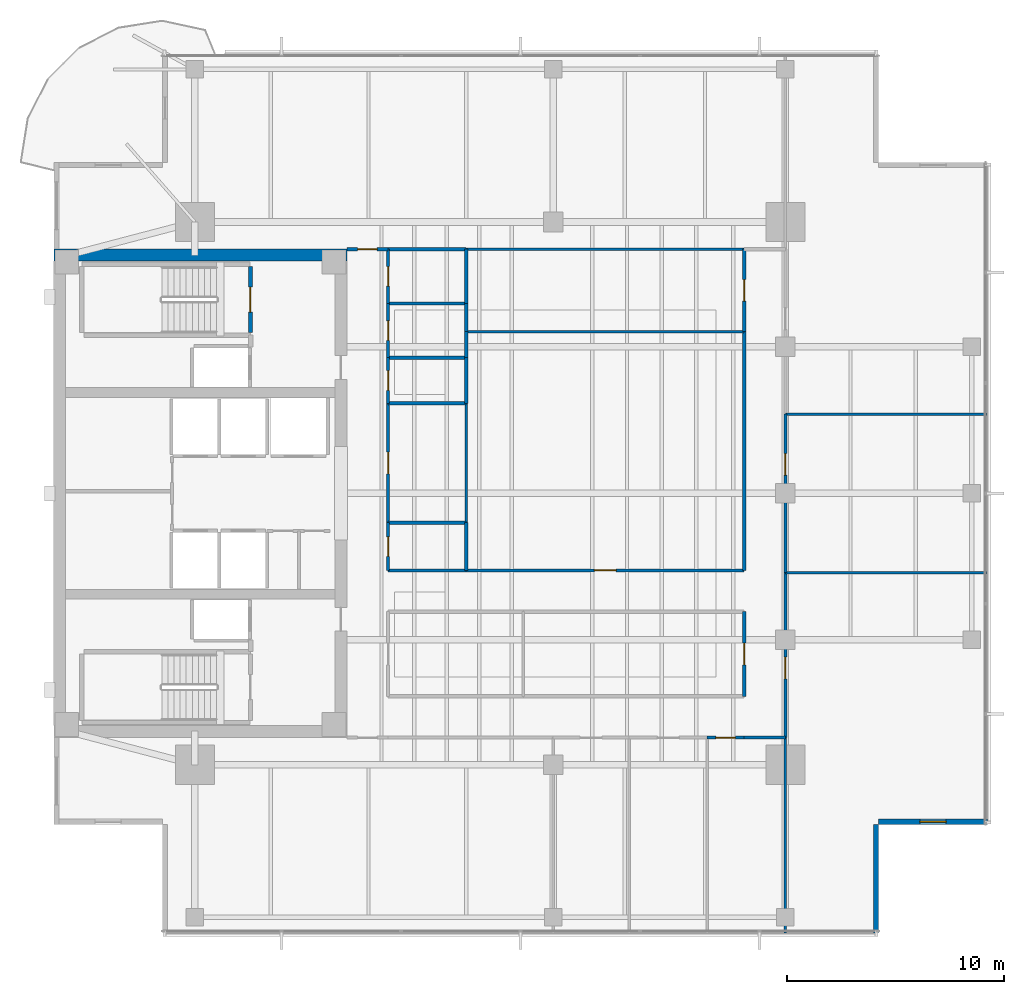
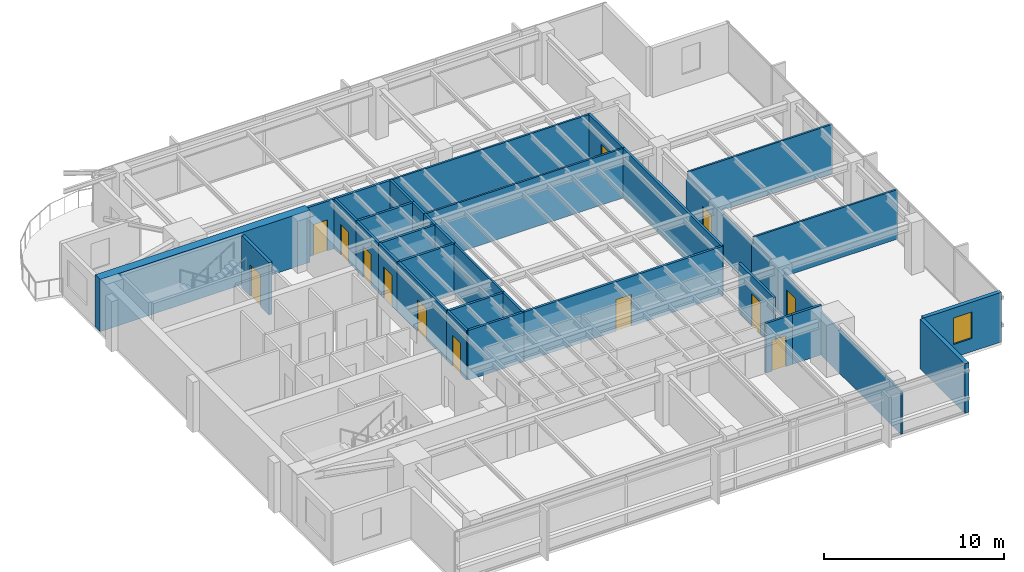
# One storey, part 9 of 14: 35 walls, 13 doors, 1 window, 14 openings.
"""IFC4 building model written with IfcOpenShell, lengths in metres."""

from ifc_helpers import new_model, si_unit, direction, frame, frame_2d, origin, place, context, subcontext, project, spatial, rectangle, extrude, material, layer, layer_set, type_object, element, fill, save


model = new_model("IFC4")

# Units and contexts
model_context = context("Model", 3, precision=1e-05, world=origin(), true_north=direction((0.0, 1.0)))
body_context = subcontext(model_context, "Body", "Model", "MODEL_VIEW")
ifc_project = project(units=[si_unit("LENGTHUNIT", "METRE"), si_unit("AREAUNIT", "SQUARE_METRE"), si_unit("VOLUMEUNIT", "CUBIC_METRE"), si_unit("PLANEANGLEUNIT", "RADIAN"), si_unit("MASSUNIT", "GRAM", prefix="KILO")], contexts=[model_context])

# Site, building, storey
site_placement = place(None, origin())
site = spatial("IfcSite", under=ifc_project, at=site_placement, CompositionType="ELEMENT")
building_placement = place(site_placement, origin())
building = spatial("IfcBuilding", under=site, at=building_placement, Name="Kinhvarn Gate Tower", CompositionType="ELEMENT")
storey_placement = place(building_placement, frame((0.0, 0.0, 227.10009765625)))
storey = spatial("IfcBuildingStorey", under=building, at=storey_placement, Name="L60", CompositionType="ELEMENT", Elevation=227.10009765625)

# Walls
ifc_material_1 = material(Name="Concrete C60/75", Category="concrete")
ifc_layer_1 = layer(ifc_material_1, 0.550048828125)
ifc_layer_set_1 = layer_set([ifc_layer_1], Name="Concrete C60/75")
wall_type_1 = type_object("IfcWallType", Name="WL-CORE-550", PredefinedType="SHEAR", material=ifc_layer_set_1)
wall_1_placement = place(storey_placement, frame((4.5, 36.22509765625, 0.0), z_axis=(0.0, 0.0, 1.0), x_axis=(1.0, 0.0, 0.0)))
element("IfcWall", 1, at=wall_1_placement, inside=storey, type_object=wall_type_1, Name="Core North Shear Wall L60 550 mm", PredefinedType="SHEAR", context=body_context, shape_type="SweptSolid", body=[
    extrude(rectangle(XDim=13.5, YDim=0.550048828125, at=frame_2d((6.75, 0.0))), origin(), (0.0, 0.0, 1.0), 3.5498046875),
])
ifc_material_2 = material(Name="Fired architectural terracotta", Category="masonry")
ifc_layer_2 = layer(ifc_material_2, 0.25)
ifc_layer_set_2 = layer_set([ifc_layer_2], Name="Fired architectural terracotta")
wall_type_2 = type_object("IfcWallType", Name="WL-EXT-250", PredefinedType="SOLIDWALL", material=ifc_layer_set_2)
wall_2_placement = place(storey_placement, frame((42.375, 5.0, 0.0), z_axis=(0.0, 0.0, 1.0), x_axis=(0.0, 1.0, 0.0)))
element("IfcWall", 2, at=wall_2_placement, inside=storey, type_object=wall_type_2, Name="Exterior Solidwall Wall EW-250 (L60 SE-Notch-1)", PredefinedType="SOLIDWALL", context=body_context, shape_type="SweptSolid", body=[
    extrude(rectangle(XDim=5.0, YDim=0.25, at=frame_2d((2.5, 0.0))), origin(), (0.0, 0.0, 1.0), 3.369873046875),
])

# Wall, opening, window
wall_3_placement = place(storey_placement, frame((42.5, 10.125, 0.0), z_axis=(0.0, 0.0, 1.0), x_axis=(1.0, 0.0, 0.0)))
wall_3 = element("IfcWall", 3, at=wall_3_placement, inside=storey, type_object=wall_type_2, Name="Exterior Solidwall Wall EW-250 (L60 SE-Notch-2)", PredefinedType="SOLIDWALL", context=body_context, shape_type="SweptSolid", body=[
    extrude(rectangle(XDim=5.0, YDim=0.25, at=frame_2d((2.5, 0.0))), origin(), (0.0, 0.0, 1.0), 3.369873046875),
])
opening_1_placement = place(wall_3_placement, frame((1.89990234375, 0.0, 0.89990234375)))
opening_1 = element("IfcOpeningElement", 4, at=opening_1_placement, cuts=wall_3, Name="Opening WN-02", PredefinedType="OPENING", context=body_context, shape_type="SweptSolid", body=[
    extrude(rectangle(XDim=1.199951171875, YDim=1.800048828125, at=frame_2d((0.60009765625, 0.89990234375))), frame((0.0, 0.135009765625, 0.0), z_axis=(0.0, -1.0, 0.0), x_axis=(1.0, 0.0, 0.0)), (0.0, 0.0, 1.0), 0.27001953125),
])
ifc_material_3 = material(Name="Clear low-e double glazing", Category="glass")
window_type = type_object("IfcWindowType", Name="WIN-NTC-1200", PartitioningType="SINGLE_PANEL", PredefinedType="WINDOW", material=ifc_material_3)
window_placement = place(opening_1_placement, origin())
window = element("IfcWindow", 5, at=window_placement, inside=storey, type_object=window_type, Name="Recessed Corner Notch Punched Window 1200x1800 mm (L60)", OverallHeight=1.800048828125, OverallWidth=1.199951171875, PartitioningType="SINGLE_PANEL", PredefinedType="WINDOW", context=body_context, shape_type="SweptSolid", body=[
    extrude(rectangle(XDim=1.199951171875, YDim=1.800048828125, at=frame_2d((0.60009765625, 0.89990234375))), frame((0.0, 0.030029296875, 0.0), z_axis=(0.0, -1.0, 0.0), x_axis=(1.0, 0.0, 0.0)), (0.0, 0.0, 1.0), 0.06005859375),
])
fill(opening_1, window)

# Walls
ifc_material_4 = material(Name="Gypsum acoustic partition board")
ifc_layer_3 = layer(ifc_material_4, 0.14990234375)
ifc_layer_set_3 = layer_set([ifc_layer_3], Name="Gypsum acoustic partition board")
wall_type_3 = type_object("IfcWallType", Name="WL-PLM-150", PredefinedType="PLUMBINGWALL", material=ifc_layer_set_3)
wall_4_placement = place(storey_placement, frame((19.89990234375, 34.0, 0.0), z_axis=(0.0, 0.0, 1.0), x_axis=(1.0, 0.0, 0.0)))
element("IfcWall", 6, at=wall_4_placement, inside=storey, type_object=wall_type_3, Name="Interior Partition PLW-150 (L60)", PredefinedType="PLUMBINGWALL", context=body_context, shape_type="SweptSolid", body=[
    extrude(rectangle(XDim=3.60009765625, YDim=0.14990234375, at=frame_2d((1.800048828125, 0.0))), origin(), (0.0, 0.0, 1.0), 3.369873046875),
])
wall_5_placement = place(storey_placement, frame((23.5, 34.0, 0.0), z_axis=(0.0, 0.0, 1.0), x_axis=(0.0, 1.0, 0.0)))
element("IfcWall", 7, at=wall_5_placement, inside=storey, type_object=wall_type_3, Name="Interior Partition PLW-150 (L60)", PredefinedType="PLUMBINGWALL", context=body_context, shape_type="SweptSolid", body=[
    extrude(rectangle(XDim=2.5, YDim=0.14990234375, at=frame_2d((1.25, 0.0))), origin(), (0.0, 0.0, 1.0), 3.369873046875),
])
for number, where, z_axis, x_axis, name in (
    (8, (19.89990234375, 36.5, 0.0), (0.0, 0.0, 1.0), (1.0, 0.0, 0.0), "Interior Partition PLW-150 (L60)"),
    (9, (19.89990234375, 31.5, 0.0), (0.0, 0.0, 1.0), (1.0, 0.0, 0.0), "Interior Partition PLW-150 (L60)"),
):
    element("IfcWall", number, at=place(storey_placement, frame(where, z_axis=z_axis, x_axis=x_axis)), inside=storey, type_object=wall_type_3, Name=name, PredefinedType="PLUMBINGWALL", context=body_context, shape_type="SweptSolid", body=[
        extrude(rectangle(XDim=3.60009765625, YDim=0.14990234375, at=frame_2d((1.800048828125, 0.0))), origin(), (0.0, 0.0, 1.0), 3.369873046875),
    ])
wall_6_placement = place(storey_placement, frame((23.5, 32.699951171875, 0.0), z_axis=(0.0, 0.0, 1.0), x_axis=(0.0, 1.0, 0.0)))
element("IfcWall", 10, at=wall_6_placement, inside=storey, type_object=wall_type_3, Name="Interior Partition PLW-150 (L60)", PredefinedType="PLUMBINGWALL", context=body_context, shape_type="SweptSolid", body=[
    extrude(rectangle(XDim=1.300048828125, YDim=0.14990234375, at=frame_2d((0.64990234375, 0.0))), origin(), (0.0, 0.0, 1.0), 3.369873046875),
])
wall_7_placement = place(storey_placement, frame((23.5, 31.5, 0.0), z_axis=(0.0, 0.0, 1.0), x_axis=(0.0, 1.0, 0.0)))
element("IfcWall", 11, at=wall_7_placement, inside=storey, type_object=wall_type_3, Name="Interior Partition PLW-150 (L60)", PredefinedType="PLUMBINGWALL", context=body_context, shape_type="SweptSolid", body=[
    extrude(rectangle(XDim=1.199951171875, YDim=0.14990234375, at=frame_2d((0.60009765625, 0.0))), origin(), (0.0, 0.0, 1.0), 3.369873046875),
])
wall_8_placement = place(storey_placement, frame((19.89990234375, 29.39990234375, 0.0), z_axis=(0.0, 0.0, 1.0), x_axis=(1.0, 0.0, 0.0)))
element("IfcWall", 12, at=wall_8_placement, inside=storey, type_object=wall_type_3, Name="Interior Partition PLW-150 (L60)", PredefinedType="PLUMBINGWALL", context=body_context, shape_type="SweptSolid", body=[
    extrude(rectangle(XDim=3.60009765625, YDim=0.14990234375, at=frame_2d((1.800048828125, 0.0))), origin(), (0.0, 0.0, 1.0), 3.369873046875),
])
wall_9_placement = place(storey_placement, frame((23.5, 29.39990234375, 0.0), z_axis=(0.0, 0.0, 1.0), x_axis=(0.0, 1.0, 0.0)))
element("IfcWall", 13, at=wall_9_placement, inside=storey, type_object=wall_type_3, Name="Interior Partition PLW-150 (L60)", PredefinedType="PLUMBINGWALL", context=body_context, shape_type="SweptSolid", body=[
    extrude(rectangle(XDim=2.10009765625, YDim=0.14990234375, at=frame_2d((1.050048828125, 0.0))), origin(), (0.0, 0.0, 1.0), 3.369873046875),
])
wall_10_placement = place(storey_placement, frame((19.89990234375, 23.89990234375, 0.0), z_axis=(0.0, 0.0, 1.0), x_axis=(1.0, 0.0, 0.0)))
element("IfcWall", 14, at=wall_10_placement, inside=storey, type_object=wall_type_3, Name="Interior Partition PLW-150 (L60)", PredefinedType="PLUMBINGWALL", context=body_context, shape_type="SweptSolid", body=[
    extrude(rectangle(XDim=3.60009765625, YDim=0.14990234375, at=frame_2d((1.800048828125, 0.0))), origin(), (0.0, 0.0, 1.0), 3.369873046875),
])
wall_11_placement = place(storey_placement, frame((23.5, 21.699951171875, 0.0), z_axis=(0.0, 0.0, 1.0), x_axis=(0.0, 1.0, 0.0)))
element("IfcWall", 15, at=wall_11_placement, inside=storey, type_object=wall_type_3, Name="Interior Partition PLW-150 (L60)", PredefinedType="PLUMBINGWALL", context=body_context, shape_type="SweptSolid", body=[
    extrude(rectangle(XDim=2.199951171875, YDim=0.14990234375, at=frame_2d((1.10009765625, 0.0))), origin(), (0.0, 0.0, 1.0), 3.369873046875),
])

# Wall, opening, door
ifc_layer_4 = layer(ifc_material_4, 0.14990234375)
ifc_layer_set_4 = layer_set([ifc_layer_4], Name="Gypsum acoustic partition board")
wall_type_4 = type_object("IfcWallType", Name="WL-PLM-150F", PredefinedType="PLUMBINGWALL", material=ifc_layer_set_4)
wall_12_placement = place(storey_placement, frame((19.89990234375, 34.0, 0.0), z_axis=(0.0, 0.0, 1.0), x_axis=(0.0, 1.0, 0.0)))
wall_12 = element("IfcWall", 16, at=wall_12_placement, inside=storey, type_object=wall_type_4, Name="Interior Partition PLW-150F (L60)", PredefinedType="PLUMBINGWALL", context=body_context, shape_type="SweptSolid", body=[
    extrude(rectangle(XDim=2.5, YDim=0.14990234375, at=frame_2d((1.25, 0.0))), origin(), (0.0, 0.0, 1.0), 3.369873046875),
])
opening_2_placement = place(wall_12_placement, frame((0.800048828125, 0.0, 0.0)))
opening_2 = element("IfcOpeningElement", 17, at=opening_2_placement, cuts=wall_12, Name="Opening FD-04", PredefinedType="OPENING", context=body_context, shape_type="SweptSolid", body=[
    extrude(rectangle(XDim=0.89990234375, YDim=2.10009765625, at=frame_2d((0.449951171875, 1.050048828125))), frame((0.0, 0.0849609375, 0.0), z_axis=(0.0, -1.0, 0.0), x_axis=(1.0, 0.0, 0.0)), (0.0, 0.0, 1.0), 0.169921875),
])
ifc_material_5 = material(Name="Anodised aluminium AW-6063", Category="aluminium")
door_type_1 = type_object("IfcDoorType", Name="DR-FD-900", OperationType="NOTDEFINED", PredefinedType="DOOR", material=ifc_material_5)
door_1_placement = place(opening_2_placement, origin())
door_1 = element("IfcDoor", 18, at=door_1_placement, inside=storey, type_object=door_type_1, Name="Rated Riser & Service Closet Fire Door 900x2100 mm (L60)", OperationType="SINGLE_SWING_RIGHT", OverallHeight=2.10009765625, OverallWidth=0.89990234375, PredefinedType="DOOR", context=body_context, shape_type="SweptSolid", body=[
    extrude(rectangle(XDim=0.89990234375, YDim=2.10009765625, at=frame_2d((0.449951171875, 1.050048828125))), frame((0.0, 0.02490234375, 0.0), z_axis=(0.0, -1.0, 0.0), x_axis=(1.0, 0.0, 0.0)), (0.0, 0.0, 1.0), 0.050048828125),
])
fill(opening_2, door_1)

wall_13_placement = place(storey_placement, frame((19.89990234375, 31.5, 0.0), z_axis=(0.0, 0.0, 1.0), x_axis=(0.0, 1.0, 0.0)))
wall_13 = element("IfcWall", 19, at=wall_13_placement, inside=storey, type_object=wall_type_4, Name="Interior Partition PLW-150F (L60)", PredefinedType="PLUMBINGWALL", context=body_context, shape_type="SweptSolid", body=[
    extrude(rectangle(XDim=2.5, YDim=0.14990234375, at=frame_2d((1.25, 0.0))), origin(), (0.0, 0.0, 1.0), 3.369873046875),
])
opening_3_placement = place(wall_13_placement, frame((0.800048828125, 0.0, 0.0)))
opening_3 = element("IfcOpeningElement", 20, at=opening_3_placement, cuts=wall_13, Name="Opening FD-04", PredefinedType="OPENING", context=body_context, shape_type="SweptSolid", body=[
    extrude(rectangle(XDim=0.89990234375, YDim=2.10009765625, at=frame_2d((0.449951171875, 1.050048828125))), frame((0.0, 0.0849609375, 0.0), z_axis=(0.0, -1.0, 0.0), x_axis=(1.0, 0.0, 0.0)), (0.0, 0.0, 1.0), 0.169921875),
])
door_2_placement = place(opening_3_placement, origin())
door_2 = element("IfcDoor", 21, at=door_2_placement, inside=storey, type_object=door_type_1, Name="Rated Riser & Service Closet Fire Door 900x2100 mm (L60)", OperationType="SINGLE_SWING_LEFT", OverallHeight=2.10009765625, OverallWidth=0.89990234375, PredefinedType="DOOR", context=body_context, shape_type="SweptSolid", body=[
    extrude(rectangle(XDim=0.89990234375, YDim=2.10009765625, at=frame_2d((0.449951171875, 1.050048828125))), frame((0.0, 0.02490234375, 0.0), z_axis=(0.0, -1.0, 0.0), x_axis=(1.0, 0.0, 0.0)), (0.0, 0.0, 1.0), 0.050048828125),
])
fill(opening_3, door_2)

wall_14_placement = place(storey_placement, frame((19.89990234375, 29.39990234375, 0.0), z_axis=(0.0, 0.0, 1.0), x_axis=(0.0, 1.0, 0.0)))
wall_14 = element("IfcWall", 22, at=wall_14_placement, inside=storey, type_object=wall_type_4, Name="Interior Partition PLW-150F (L60)", PredefinedType="PLUMBINGWALL", context=body_context, shape_type="SweptSolid", body=[
    extrude(rectangle(XDim=2.10009765625, YDim=0.14990234375, at=frame_2d((1.050048828125, 0.0))), origin(), (0.0, 0.0, 1.0), 3.369873046875),
])
opening_4_placement = place(wall_14_placement, frame((0.60009765625, 0.0, 0.0)))
opening_4 = element("IfcOpeningElement", 23, at=opening_4_placement, cuts=wall_14, Name="Opening FD-04", PredefinedType="OPENING", context=body_context, shape_type="SweptSolid", body=[
    extrude(rectangle(XDim=0.89990234375, YDim=2.10009765625, at=frame_2d((0.449951171875, 1.050048828125))), frame((0.0, 0.0849609375, 0.0), z_axis=(0.0, -1.0, 0.0), x_axis=(1.0, 0.0, 0.0)), (0.0, 0.0, 1.0), 0.169921875),
])
door_3_placement = place(opening_4_placement, origin())
door_3 = element("IfcDoor", 24, at=door_3_placement, inside=storey, type_object=door_type_1, Name="Rated Riser & Service Closet Fire Door 900x2100 mm (L60)", OperationType="SINGLE_SWING_RIGHT", OverallHeight=2.10009765625, OverallWidth=0.89990234375, PredefinedType="DOOR", context=body_context, shape_type="SweptSolid", body=[
    extrude(rectangle(XDim=0.89990234375, YDim=2.10009765625, at=frame_2d((0.449951171875, 1.050048828125))), frame((0.0, 0.02490234375, 0.0), z_axis=(0.0, -1.0, 0.0), x_axis=(1.0, 0.0, 0.0)), (0.0, 0.0, 1.0), 0.050048828125),
])
fill(opening_4, door_3)

wall_15_placement = place(storey_placement, frame((19.89990234375, 21.699951171875, 0.0), z_axis=(0.0, 0.0, 1.0), x_axis=(0.0, 1.0, 0.0)))
wall_15 = element("IfcWall", 25, at=wall_15_placement, inside=storey, type_object=wall_type_4, Name="Interior Partition PLW-150F (L60)", PredefinedType="PLUMBINGWALL", context=body_context, shape_type="SweptSolid", body=[
    extrude(rectangle(XDim=2.199951171875, YDim=0.14990234375, at=frame_2d((1.10009765625, 0.0))), origin(), (0.0, 0.0, 1.0), 3.369873046875),
])
opening_5_placement = place(wall_15_placement, frame((0.64990234375, 0.0, 0.0)))
opening_5 = element("IfcOpeningElement", 26, at=opening_5_placement, cuts=wall_15, Name="Opening FD-04", PredefinedType="OPENING", context=body_context, shape_type="SweptSolid", body=[
    extrude(rectangle(XDim=0.89990234375, YDim=2.10009765625, at=frame_2d((0.449951171875, 1.050048828125))), frame((0.0, 0.0849609375, 0.0), z_axis=(0.0, -1.0, 0.0), x_axis=(1.0, 0.0, 0.0)), (0.0, 0.0, 1.0), 0.169921875),
])
door_4_placement = place(opening_5_placement, origin())
door_4 = element("IfcDoor", 27, at=door_4_placement, inside=storey, type_object=door_type_1, Name="Rated Riser & Service Closet Fire Door 900x2100 mm (L60)", OperationType="SINGLE_SWING_LEFT", OverallHeight=2.10009765625, OverallWidth=0.89990234375, PredefinedType="DOOR", context=body_context, shape_type="SweptSolid", body=[
    extrude(rectangle(XDim=0.89990234375, YDim=2.10009765625, at=frame_2d((0.449951171875, 1.050048828125))), frame((0.0, 0.02490234375, 0.0), z_axis=(0.0, -1.0, 0.0), x_axis=(1.0, 0.0, 0.0)), (0.0, 0.0, 1.0), 0.050048828125),
])
fill(opening_5, door_4)

# Walls
wall_16_placement = place(storey_placement, frame((19.89990234375, 21.699951171875, 0.0), z_axis=(0.0, 0.0, 1.0), x_axis=(1.0, 0.0, 0.0)))
element("IfcWall", 28, at=wall_16_placement, inside=storey, type_object=wall_type_4, Name="Interior Partition PLW-150F (L60)", PredefinedType="PLUMBINGWALL", context=body_context, shape_type="SweptSolid", body=[
    extrude(rectangle(XDim=3.60009765625, YDim=0.14990234375, at=frame_2d((1.800048828125, 0.0))), origin(), (0.0, 0.0, 1.0), 3.369873046875),
])
ifc_layer_5 = layer(ifc_material_4, 0.1201171875)
ifc_layer_set_5 = layer_set([ifc_layer_5], Name="Gypsum acoustic partition board")
wall_type_5 = type_object("IfcWallType", Name="WL-PRT-120", PredefinedType="PARTITIONING", material=ifc_layer_set_5)
wall_17_placement = place(storey_placement, frame((23.5, 23.89990234375, 0.0), z_axis=(0.0, 0.0, 1.0), x_axis=(0.0, 1.0, 0.0)))
element("IfcWall", 29, at=wall_17_placement, inside=storey, type_object=wall_type_5, Name="Interior Partition PW-120 (L60)", PredefinedType="PARTITIONING", context=body_context, shape_type="SweptSolid", body=[
    extrude(rectangle(XDim=5.5, YDim=0.1201171875, at=frame_2d((2.75, 0.0))), origin(), (0.0, 0.0, 1.0), 3.369873046875),
])
for number, where, z_axis, x_axis, name in (
    (30, (23.5, 32.699951171875, 0.0), (0.0, 0.0, 1.0), (1.0, 0.0, 0.0), "Interior Partition PW-120 (L60)"),
    (31, (23.5, 36.5, 0.0), (0.0, 0.0, 1.0), (1.0, 0.0, 0.0), "Interior Partition PW-120 (L60)"),
):
    element("IfcWall", number, at=place(storey_placement, frame(where, z_axis=z_axis, x_axis=x_axis)), inside=storey, type_object=wall_type_5, Name=name, PredefinedType="PARTITIONING", context=body_context, shape_type="SweptSolid", body=[
        extrude(rectangle(XDim=12.800048828125, YDim=0.1201171875, at=frame_2d((6.39990234375, 0.0))), origin(), (0.0, 0.0, 1.0), 3.369873046875),
    ])
wall_18_placement = place(storey_placement, frame((38.199951171875, 5.010009765625, 0.0), z_axis=(0.0, 0.0, 1.0), x_axis=(0.0, 1.0, 0.0)))
element("IfcWall", 32, at=wall_18_placement, inside=storey, type_object=wall_type_5, Name="Interior Partition PW-120 (L60)", PredefinedType="PARTITIONING", context=body_context, shape_type="SweptSolid", body=[
    extrude(rectangle(XDim=8.989990234375, YDim=0.1201171875, at=frame_2d((4.4951171875, 0.0))), origin(), (0.0, 0.0, 1.0), 2.919921875),
])
for number, where, z_axis, x_axis, name in (
    (33, (38.199951171875, 21.60009765625, 0.0), (0.0, 0.0, 1.0), (1.0, 0.0, 0.0), "Interior Partition PW-120 (L60)"),
    (34, (38.199951171875, 28.89990234375, 0.0), (0.0, 0.0, 1.0), (1.0, 0.0, 0.0), "Interior Partition PW-120 (L60)"),
):
    element("IfcWall", number, at=place(storey_placement, frame(where, z_axis=z_axis, x_axis=x_axis)), inside=storey, type_object=wall_type_5, Name=name, PredefinedType="PARTITIONING", context=body_context, shape_type="SweptSolid", body=[
        extrude(rectangle(XDim=9.2900390625, YDim=0.1201171875, at=frame_2d((4.64501953125, 0.0))), origin(), (0.0, 0.0, 1.0), 3.369873046875),
    ])

# Wall, opening, door
ifc_layer_6 = layer(ifc_material_4, 0.14990234375)
ifc_layer_set_6 = layer_set([ifc_layer_6], Name="Gypsum acoustic partition board")
wall_type_6 = type_object("IfcWallType", Name="WL-PRT-150F", PredefinedType="PARTITIONING", material=ifc_layer_set_6)
wall_19_placement = place(storey_placement, frame((19.89990234375, 23.89990234375, 0.0), z_axis=(0.0, 0.0, 1.0), x_axis=(0.0, 1.0, 0.0)))
wall_19 = element("IfcWall", 35, at=wall_19_placement, inside=storey, type_object=wall_type_6, Name="Interior Partition PW-150F (L60)", PredefinedType="PARTITIONING", context=body_context, shape_type="SweptSolid", body=[
    extrude(rectangle(XDim=5.5, YDim=0.14990234375, at=frame_2d((2.75, 0.0))), origin(), (0.0, 0.0, 1.0), 3.369873046875),
])
opening_6_placement = place(wall_19_placement, frame((2.25, 0.0, 0.0)))
opening_6 = element("IfcOpeningElement", 36, at=opening_6_placement, cuts=wall_19, Name="Opening ID-02", PredefinedType="OPENING", context=body_context, shape_type="SweptSolid", body=[
    extrude(rectangle(XDim=1.0, YDim=2.14990234375, at=frame_2d((0.5, 1.074951171875))), frame((0.0, 0.0849609375, 0.0), z_axis=(0.0, -1.0, 0.0), x_axis=(1.0, 0.0, 0.0)), (0.0, 0.0, 1.0), 0.169921875),
])
door_type_2 = type_object("IfcDoorType", Name="DR-INT-1000", OperationType="NOTDEFINED", PredefinedType="DOOR", material=ifc_material_5)
door_5_placement = place(opening_6_placement, origin())
door_5 = element("IfcDoor", 37, at=door_5_placement, inside=storey, type_object=door_type_2, Name="Standard Office & Meeting Room Door 1000x2150 mm (L60)", OperationType="SINGLE_SWING_RIGHT", OverallHeight=2.14990234375, OverallWidth=1.0, PredefinedType="DOOR", context=body_context, shape_type="SweptSolid", body=[
    extrude(rectangle(XDim=1.0, YDim=2.14990234375, at=frame_2d((0.5, 1.074951171875))), frame((0.0, 0.02490234375, 0.0), z_axis=(0.0, -1.0, 0.0), x_axis=(1.0, 0.0, 0.0)), (0.0, 0.0, 1.0), 0.050048828125),
])
fill(opening_6, door_5)

wall_20_placement = place(storey_placement, frame((18.0, 36.5, 0.0), z_axis=(0.0, 0.0, 1.0), x_axis=(1.0, 0.0, 0.0)))
wall_20 = element("IfcWall", 38, at=wall_20_placement, inside=storey, type_object=wall_type_6, Name="Interior Partition PW-150F (L60)", PredefinedType="PARTITIONING", context=body_context, shape_type="SweptSolid", body=[
    extrude(rectangle(XDim=1.89990234375, YDim=0.14990234375, at=frame_2d((0.949951171875, 0.0))), origin(), (0.0, 0.0, 1.0), 3.369873046875),
])
opening_7_placement = place(wall_20_placement, frame((0.5, 0.0, 0.0)))
opening_7 = element("IfcOpeningElement", 39, at=opening_7_placement, cuts=wall_20, Name="Opening ID-03", PredefinedType="OPENING", context=body_context, shape_type="SweptSolid", body=[
    extrude(rectangle(XDim=0.89990234375, YDim=2.10009765625, at=frame_2d((0.449951171875, 1.050048828125))), frame((0.0, 0.0849609375, 0.0), z_axis=(0.0, -1.0, 0.0), x_axis=(1.0, 0.0, 0.0)), (0.0, 0.0, 1.0), 0.169921875),
])
door_type_3 = type_object("IfcDoorType", Name="DR-INT-900", OperationType="NOTDEFINED", PredefinedType="DOOR", material=ifc_material_5)
door_6_placement = place(opening_7_placement, origin())
door_6 = element("IfcDoor", 40, at=door_6_placement, inside=storey, type_object=door_type_3, Name="Cellular Office & Restroom Door 900x2100 mm (L60)", OperationType="SINGLE_SWING_RIGHT", OverallHeight=2.10009765625, OverallWidth=0.89990234375, PredefinedType="DOOR", context=body_context, shape_type="SweptSolid", body=[
    extrude(rectangle(XDim=0.89990234375, YDim=2.10009765625, at=frame_2d((0.449951171875, 1.050048828125))), frame((0.0, 0.02490234375, 0.0), z_axis=(0.0, -1.0, 0.0), x_axis=(1.0, 0.0, 0.0)), (0.0, 0.0, 1.0), 0.050048828125),
])
fill(opening_7, door_6)

wall_21_placement = place(storey_placement, frame((23.5, 21.699951171875, 0.0), z_axis=(0.0, 0.0, 1.0), x_axis=(1.0, 0.0, 0.0)))
wall_21 = element("IfcWall", 41, at=wall_21_placement, inside=storey, type_object=wall_type_6, Name="Interior Partition PW-150F (L60)", PredefinedType="PARTITIONING", context=body_context, shape_type="SweptSolid", body=[
    extrude(rectangle(XDim=12.800048828125, YDim=0.14990234375, at=frame_2d((6.39990234375, 0.0))), origin(), (0.0, 0.0, 1.0), 3.369873046875),
])
opening_8_placement = place(wall_21_placement, frame((5.89990234375, 0.0, 0.0)))
opening_8 = element("IfcOpeningElement", 42, at=opening_8_placement, cuts=wall_21, Name="Opening ID-02", PredefinedType="OPENING", context=body_context, shape_type="SweptSolid", body=[
    extrude(rectangle(XDim=1.0, YDim=2.14990234375, at=frame_2d((0.5, 1.074951171875))), frame((0.0, 0.0849609375, 0.0), z_axis=(0.0, -1.0, 0.0), x_axis=(1.0, 0.0, 0.0)), (0.0, 0.0, 1.0), 0.169921875),
])
door_7_placement = place(opening_8_placement, origin())
door_7 = element("IfcDoor", 43, at=door_7_placement, inside=storey, type_object=door_type_2, Name="Standard Office & Meeting Room Door 1000x2150 mm (L60)", OperationType="SINGLE_SWING_LEFT", OverallHeight=2.14990234375, OverallWidth=1.0, PredefinedType="DOOR", context=body_context, shape_type="SweptSolid", body=[
    extrude(rectangle(XDim=1.0, YDim=2.14990234375, at=frame_2d((0.5, 1.074951171875))), frame((0.0, 0.02490234375, 0.0), z_axis=(0.0, -1.0, 0.0), x_axis=(1.0, 0.0, 0.0)), (0.0, 0.0, 1.0), 0.050048828125),
])
fill(opening_8, door_7)

wall_22_placement = place(storey_placement, frame((36.300048828125, 15.89990234375, 0.0), z_axis=(0.0, 0.0, 1.0), x_axis=(0.0, 1.0, 0.0)))
wall_22 = element("IfcWall", 44, at=wall_22_placement, inside=storey, type_object=wall_type_6, Name="Interior Partition PW-150F (L60)", PredefinedType="PARTITIONING", context=body_context, shape_type="SweptSolid", body=[
    extrude(rectangle(XDim=3.900146484375, YDim=0.14990234375, at=frame_2d((1.9501953125, 0.0))), origin(), (0.0, 0.0, 1.0), 3.369873046875),
])
opening_9_placement = place(wall_22_placement, frame((1.449951171875, 0.0, 0.0)))
opening_9 = element("IfcOpeningElement", 45, at=opening_9_placement, cuts=wall_22, Name="Opening ID-02", PredefinedType="OPENING", context=body_context, shape_type="SweptSolid", body=[
    extrude(rectangle(XDim=1.0, YDim=2.14990234375, at=frame_2d((0.5, 1.074951171875))), frame((0.0, 0.0849609375, 0.0), z_axis=(0.0, -1.0, 0.0), x_axis=(1.0, 0.0, 0.0)), (0.0, 0.0, 1.0), 0.169921875),
])
door_8_placement = place(opening_9_placement, origin())
door_8 = element("IfcDoor", 46, at=door_8_placement, inside=storey, type_object=door_type_2, Name="Standard Office & Meeting Room Door 1000x2150 mm (L60)", OperationType="SINGLE_SWING_RIGHT", OverallHeight=2.14990234375, OverallWidth=1.0, PredefinedType="DOOR", context=body_context, shape_type="SweptSolid", body=[
    extrude(rectangle(XDim=1.0, YDim=2.14990234375, at=frame_2d((0.5, 1.074951171875))), frame((0.0, 0.02490234375, 0.0), z_axis=(0.0, -1.0, 0.0), x_axis=(1.0, 0.0, 0.0)), (0.0, 0.0, 1.0), 0.050048828125),
])
fill(opening_9, door_8)

wall_23_placement = place(storey_placement, frame((36.300048828125, 32.699951171875, 0.0), z_axis=(0.0, 0.0, 1.0), x_axis=(0.0, 1.0, 0.0)))
wall_23 = element("IfcWall", 47, at=wall_23_placement, inside=storey, type_object=wall_type_6, Name="Interior Partition PW-150F (L60)", PredefinedType="PARTITIONING", context=body_context, shape_type="SweptSolid", body=[
    extrude(rectangle(XDim=3.800048828125, YDim=0.14990234375, at=frame_2d((1.89990234375, 0.0))), origin(), (0.0, 0.0, 1.0), 3.369873046875),
])
opening_10_placement = place(wall_23_placement, frame((1.39990234375, 0.0, 0.0)))
opening_10 = element("IfcOpeningElement", 48, at=opening_10_placement, cuts=wall_23, Name="Opening ID-02", PredefinedType="OPENING", context=body_context, shape_type="SweptSolid", body=[
    extrude(rectangle(XDim=1.0, YDim=2.14990234375, at=frame_2d((0.5, 1.074951171875))), frame((0.0, 0.0849609375, 0.0), z_axis=(0.0, -1.0, 0.0), x_axis=(1.0, 0.0, 0.0)), (0.0, 0.0, 1.0), 0.169921875),
])
door_9_placement = place(opening_10_placement, origin())
door_9 = element("IfcDoor", 49, at=door_9_placement, inside=storey, type_object=door_type_2, Name="Standard Office & Meeting Room Door 1000x2150 mm (L60)", OperationType="SINGLE_SWING_LEFT", OverallHeight=2.14990234375, OverallWidth=1.0, PredefinedType="DOOR", context=body_context, shape_type="SweptSolid", body=[
    extrude(rectangle(XDim=1.0, YDim=2.14990234375, at=frame_2d((0.5, 1.074951171875))), frame((0.0, 0.02490234375, 0.0), z_axis=(0.0, -1.0, 0.0), x_axis=(1.0, 0.0, 0.0)), (0.0, 0.0, 1.0), 0.050048828125),
])
fill(opening_10, door_9)

# Walls
wall_24_placement = place(storey_placement, frame((36.300048828125, 21.699951171875, 0.0), z_axis=(0.0, 0.0, 1.0), x_axis=(0.0, 1.0, 0.0)))
element("IfcWall", 50, at=wall_24_placement, inside=storey, type_object=wall_type_6, Name="Interior Partition PW-150F (L60)", PredefinedType="PARTITIONING", context=body_context, shape_type="SweptSolid", body=[
    extrude(rectangle(XDim=11.0, YDim=0.14990234375, at=frame_2d((5.5, 0.0))), origin(), (0.0, 0.0, 1.0), 3.369873046875),
])
wall_25_placement = place(storey_placement, frame((36.300048828125, 14.0, 0.0), z_axis=(0.0, 0.0, 1.0), x_axis=(1.0, 0.0, 0.0)))
element("IfcWall", 51, at=wall_25_placement, inside=storey, type_object=wall_type_6, Name="Interior Partition PW-150F (L60)", PredefinedType="PARTITIONING", context=body_context, shape_type="SweptSolid", body=[
    extrude(rectangle(XDim=1.89990234375, YDim=0.14990234375, at=frame_2d((0.949951171875, 0.0))), origin(), (0.0, 0.0, 1.0), 3.369873046875),
])

# Wall, opening, door
wall_26_placement = place(storey_placement, frame((38.199951171875, 14.0, 0.0), z_axis=(0.0, 0.0, 1.0), x_axis=(0.0, 1.0, 0.0)))
wall_26 = element("IfcWall", 52, at=wall_26_placement, inside=storey, type_object=wall_type_6, Name="Interior Partition PW-150F (L60)", PredefinedType="PARTITIONING", context=body_context, shape_type="SweptSolid", body=[
    extrude(rectangle(XDim=7.60009765625, YDim=0.14990234375, at=frame_2d((3.800048828125, 0.0))), origin(), (0.0, 0.0, 1.0), 2.919921875),
])
opening_11_placement = place(wall_26_placement, frame((2.7060546875, 0.0, 0.0)))
opening_11 = element("IfcOpeningElement", 53, at=opening_11_placement, cuts=wall_26, Name="Opening ID-02", PredefinedType="OPENING", context=body_context, shape_type="SweptSolid", body=[
    extrude(rectangle(XDim=1.0, YDim=2.14990234375, at=frame_2d((0.5, 1.074951171875))), frame((0.0, 0.0849609375, 0.0), z_axis=(0.0, -1.0, 0.0), x_axis=(1.0, 0.0, 0.0)), (0.0, 0.0, 1.0), 0.169921875),
])
door_10_placement = place(opening_11_placement, origin())
door_10 = element("IfcDoor", 54, at=door_10_placement, inside=storey, type_object=door_type_2, Name="Standard Office & Meeting Room Door 1000x2150 mm (L60)", OperationType="SINGLE_SWING_RIGHT", OverallHeight=2.14990234375, OverallWidth=1.0, PredefinedType="DOOR", context=body_context, shape_type="SweptSolid", body=[
    extrude(rectangle(XDim=1.0, YDim=2.14990234375, at=frame_2d((0.5, 1.074951171875))), frame((0.0, 0.02490234375, 0.0), z_axis=(0.0, -1.0, 0.0), x_axis=(1.0, 0.0, 0.0)), (0.0, 0.0, 1.0), 0.050048828125),
])
fill(opening_11, door_10)

wall_27_placement = place(storey_placement, frame((38.199951171875, 21.60009765625, 0.0), z_axis=(0.0, 0.0, 1.0), x_axis=(0.0, 1.0, 0.0)))
wall_27 = element("IfcWall", 55, at=wall_27_placement, inside=storey, type_object=wall_type_6, Name="Interior Partition PW-150F (L60)", PredefinedType="PARTITIONING", context=body_context, shape_type="SweptSolid", body=[
    extrude(rectangle(XDim=7.2998046875, YDim=0.14990234375, at=frame_2d((3.64990234375, 0.0))), origin(), (0.0, 0.0, 1.0), 2.919921875),
])
opening_12_placement = place(wall_27_placement, frame((4.486083984375, 0.0, 0.0)))
opening_12 = element("IfcOpeningElement", 56, at=opening_12_placement, cuts=wall_27, Name="Opening ID-02", PredefinedType="OPENING", context=body_context, shape_type="SweptSolid", body=[
    extrude(rectangle(XDim=1.0, YDim=2.14990234375, at=frame_2d((0.5, 1.074951171875))), frame((0.0, 0.0849609375, 0.0), z_axis=(0.0, -1.0, 0.0), x_axis=(1.0, 0.0, 0.0)), (0.0, 0.0, 1.0), 0.169921875),
])
door_11_placement = place(opening_12_placement, origin())
door_11 = element("IfcDoor", 57, at=door_11_placement, inside=storey, type_object=door_type_2, Name="Standard Office & Meeting Room Door 1000x2150 mm (L60)", OperationType="SINGLE_SWING_LEFT", OverallHeight=2.14990234375, OverallWidth=1.0, PredefinedType="DOOR", context=body_context, shape_type="SweptSolid", body=[
    extrude(rectangle(XDim=1.0, YDim=2.14990234375, at=frame_2d((0.5, 1.074951171875))), frame((0.0, 0.02490234375, 0.0), z_axis=(0.0, -1.0, 0.0), x_axis=(1.0, 0.0, 0.0)), (0.0, 0.0, 1.0), 0.050048828125),
])
fill(opening_12, door_11)

wall_28_placement = place(storey_placement, frame((34.60009765625, 14.0, 0.0), z_axis=(0.0, 0.0, 1.0), x_axis=(1.0, 0.0, 0.0)))
wall_28 = element("IfcWall", 58, at=wall_28_placement, inside=storey, type_object=wall_type_6, Name="Interior Partition PW-150F (L60)", PredefinedType="PARTITIONING", context=body_context, shape_type="SweptSolid", body=[
    extrude(rectangle(XDim=1.699951171875, YDim=0.14990234375, at=frame_2d((0.85009765625, 0.0))), origin(), (0.0, 0.0, 1.0), 3.369873046875),
])
opening_13_placement = place(wall_28_placement, frame((0.39990234375, 0.0, 0.0)))
opening_13 = element("IfcOpeningElement", 59, at=opening_13_placement, cuts=wall_28, Name="Opening ID-03", PredefinedType="OPENING", context=body_context, shape_type="SweptSolid", body=[
    extrude(rectangle(XDim=0.89990234375, YDim=2.10009765625, at=frame_2d((0.449951171875, 1.050048828125))), frame((0.0, 0.0849609375, 0.0), z_axis=(0.0, -1.0, 0.0), x_axis=(1.0, 0.0, 0.0)), (0.0, 0.0, 1.0), 0.169921875),
])
door_12_placement = place(opening_13_placement, origin())
door_12 = element("IfcDoor", 60, at=door_12_placement, inside=storey, type_object=door_type_3, Name="Cellular Office & Restroom Door 900x2100 mm (L60)", OperationType="SINGLE_SWING_LEFT", OverallHeight=2.10009765625, OverallWidth=0.89990234375, PredefinedType="DOOR", context=body_context, shape_type="SweptSolid", body=[
    extrude(rectangle(XDim=0.89990234375, YDim=2.10009765625, at=frame_2d((0.449951171875, 1.050048828125))), frame((0.0, 0.02490234375, 0.0), z_axis=(0.0, -1.0, 0.0), x_axis=(1.0, 0.0, 0.0)), (0.0, 0.0, 1.0), 0.050048828125),
])
fill(opening_13, door_12)

ifc_material_6 = material(Name="Concrete C40/50", Category="concrete")
ifc_layer_7 = layer(ifc_material_6, 0.199951171875)
ifc_layer_set_7 = layer_set([ifc_layer_7], Name="Concrete C40/50")
wall_type_7 = type_object("IfcWallType", Name="WL-SHF-200", PredefinedType="SOLIDWALL", material=ifc_layer_set_7)
wall_29_placement = place(storey_placement, frame((13.56005859375, 32.64990234375, 0.0), z_axis=(0.0, 0.0, 1.0), x_axis=(0.0, 1.0, 0.0)))
wall_29 = element("IfcWall", 61, at=wall_29_placement, inside=storey, type_object=wall_type_7, Name="Stair ST2 East Entry Wall (L60)", PredefinedType="SOLIDWALL", context=body_context, shape_type="SweptSolid", body=[
    extrude(rectangle(XDim=3.050048828125, YDim=0.199951171875, at=frame_2d((1.52490234375, 0.0))), origin(), (0.0, 0.0, 1.0), 3.5498046875),
])
opening_14_placement = place(wall_29_placement, frame((0.949951171875, 0.0, 0.0)))
opening_14 = element("IfcOpeningElement", 62, at=opening_14_placement, cuts=wall_29, Name="Opening FD-01", PredefinedType="OPENING", context=body_context, shape_type="SweptSolid", body=[
    extrude(rectangle(XDim=1.14990234375, YDim=2.14990234375, at=frame_2d((0.574951171875, 1.074951171875))), frame((0.0, 0.10986328125, 0.0), z_axis=(0.0, -1.0, 0.0), x_axis=(1.0, 0.0, 0.0)), (0.0, 0.0, 1.0), 0.219970703125),
])
door_type_4 = type_object("IfcDoorType", Name="DR-ST-1150", OperationType="NOTDEFINED", PredefinedType="DOOR", material=ifc_material_5)
door_13_placement = place(opening_14_placement, origin())
door_13 = element("IfcDoor", 63, at=door_13_placement, inside=storey, type_object=door_type_4, Name="Exit Stair ST2 Fire Door (L60)", OperationType="SINGLE_SWING_LEFT", OverallHeight=2.14990234375, OverallWidth=1.14990234375, PredefinedType="DOOR", context=body_context, shape_type="SweptSolid", body=[
    extrude(rectangle(XDim=1.14990234375, YDim=2.14990234375, at=frame_2d((0.574951171875, 1.074951171875))), frame((0.0, 0.02490234375, 0.0), z_axis=(0.0, -1.0, 0.0), x_axis=(1.0, 0.0, 0.0)), (0.0, 0.0, 1.0), 0.050048828125),
])
fill(opening_14, door_13)

save(model, "model.ifc")
